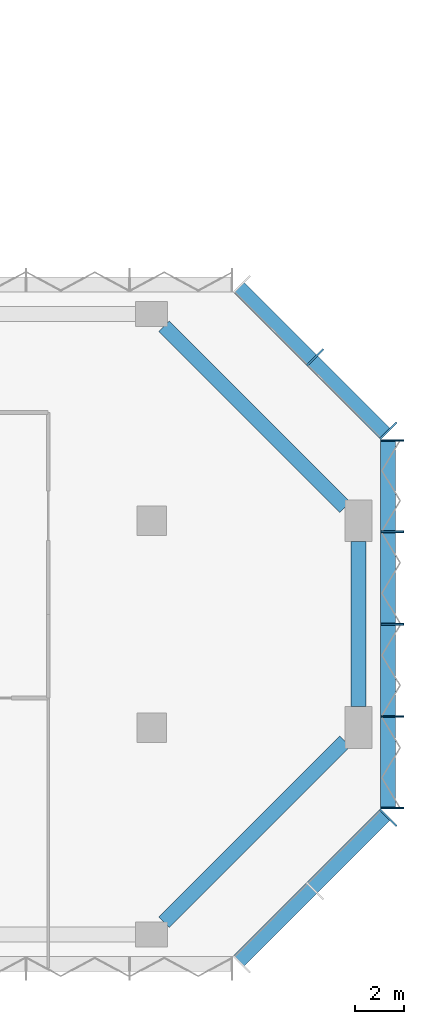
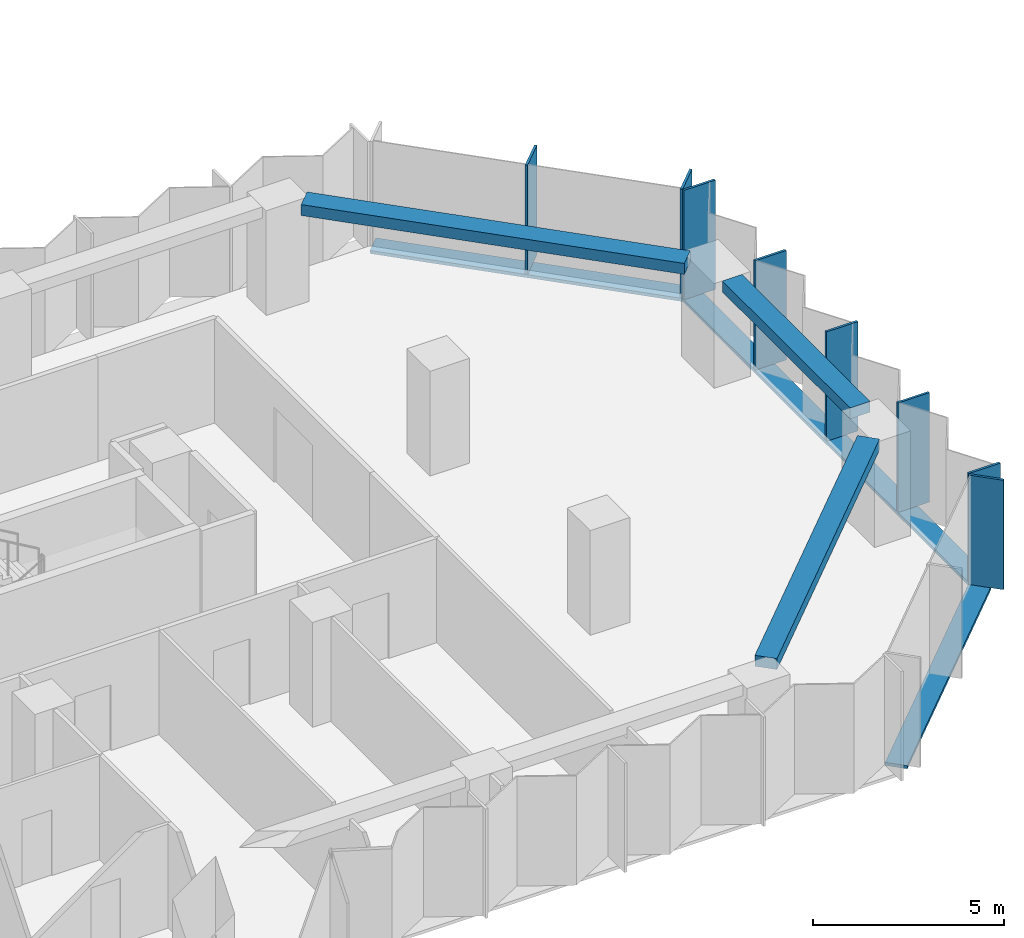
# One storey, part 4 of 13: 11 members, 3 beams, 3 elements without a shape of their own.
"""IFC4 building model written with IfcOpenShell, lengths in metres."""

from ifc_helpers import new_model, si_unit, direction, frame, origin, origin_2d, place, context, subcontext, project, spatial, rectangle, extrude, material, material_profile, profile_set, type_object, element, aggregate, save


model = new_model("IFC4")

# Units and contexts
model_context = context("Model", 3, precision=1e-05, world=origin(), true_north=direction((0.0, 1.0)))
body_context = subcontext(model_context, "Body", "Model", "MODEL_VIEW")
ifc_project = project(units=[si_unit("LENGTHUNIT", "METRE"), si_unit("AREAUNIT", "SQUARE_METRE"), si_unit("VOLUMEUNIT", "CUBIC_METRE"), si_unit("PLANEANGLEUNIT", "RADIAN"), si_unit("MASSUNIT", "GRAM", prefix="KILO")], contexts=[model_context])

# Site, building, storey
site_placement = place(None, origin())
site = spatial("IfcSite", under=ifc_project, at=site_placement, CompositionType="ELEMENT")
building_placement = place(site_placement, origin())
building = spatial("IfcBuilding", under=site, at=building_placement, Name="Brevane Broadcast Tower", CompositionType="ELEMENT")
storey_placement = place(building_placement, frame((0.0, 0.0, 109.699951171875)))
storey = spatial("IfcBuildingStorey", under=building, at=storey_placement, Name="L26", CompositionType="ELEMENT", Elevation=109.699951171875)

# Curtain wall, member
ifc_material_1 = material(Name="Aluminium 6063-T6 bronze anodised", Category="aluminium")
curtain_wall_type = type_object("IfcCurtainWallType", Name="CW-1 curtain wall", PredefinedType="NOTDEFINED", material=ifc_material_1)
curtain_wall_1_placement = place(storey_placement, origin())
curtain_wall_1 = element("IfcCurtainWall", 1, at=curtain_wall_1_placement, inside=storey, type_object=curtain_wall_type, Name="CW-1 typical tilted unit L26 south-east chamfer", PredefinedType="NOTDEFINED")
ifc_material_profile_1 = material_profile(ifc_material_1, rectangle(XDim=0.949951171875, YDim=0.070068359375, at=origin_2d()), Name="RECT 70x950")
ifc_profile_set_1 = profile_set([ifc_material_profile_1], Name="Aluminium 6063-T6 bronze anodised")
member_type_1 = type_object("IfcMemberType", Name="CW-1 mullion 70x950", PredefinedType="MULLION", material=ifc_profile_set_1)
member_1_placement = place(storey_placement, frame((68.4111328125, 4.7392578125, -0.14990234375), z_axis=(0.0, 0.0, 1.0), x_axis=(-0.707106781187, 0.707106781187, 0.0)))
member_1 = element("IfcMember", 2, at=member_1_placement, type_object=member_type_1, Name="CW-1 mullion", PredefinedType="MULLION", context=body_context, shape_type="SweptSolid", body=[
    extrude(rectangle(XDim=0.949951171875, YDim=0.070068359375, at=origin_2d()), origin(), (0.0, 0.0, 1.0), 3.5),
])

# Curtain wall, members
curtain_wall_2_placement = place(storey_placement, origin())
curtain_wall_2 = element("IfcCurtainWall", 3, at=curtain_wall_2_placement, inside=storey, type_object=curtain_wall_type, Name="CW-1 typical tilted unit L26 east end", PredefinedType="NOTDEFINED")
member_2_placement = place(storey_placement, frame((68.574951171875, 5.135009765625, -0.14990234375), z_axis=(0.0, 0.0, 1.0), x_axis=(-1.0, 0.0, 0.0)))
member_2 = element("IfcMember", 4, at=member_2_placement, type_object=member_type_1, Name="CW-1 mullion", PredefinedType="MULLION", context=body_context, shape_type="SweptSolid", body=[
    extrude(rectangle(XDim=0.949951171875, YDim=0.070068359375, at=origin_2d()), origin(), (0.0, 0.0, 1.0), 3.5),
])
member_3_placement = place(storey_placement, frame((68.574951171875, 8.85009765625, -0.14990234375), z_axis=(0.0, 0.0, 1.0), x_axis=(-1.0, 0.0, 0.0)))
member_3 = element("IfcMember", 5, at=member_3_placement, type_object=member_type_1, Name="CW-1 mullion", PredefinedType="MULLION", context=body_context, shape_type="SweptSolid", body=[
    extrude(rectangle(XDim=0.949951171875, YDim=0.070068359375, at=origin_2d()), origin(), (0.0, 0.0, 1.0), 3.5),
])
member_4_placement = place(storey_placement, frame((68.574951171875, 12.60009765625, -0.14990234375), z_axis=(0.0, 0.0, 1.0), x_axis=(-1.0, 0.0, 0.0)))
member_4 = element("IfcMember", 6, at=member_4_placement, type_object=member_type_1, Name="CW-1 mullion", PredefinedType="MULLION", context=body_context, shape_type="SweptSolid", body=[
    extrude(rectangle(XDim=0.949951171875, YDim=0.070068359375, at=origin_2d()), origin(), (0.0, 0.0, 1.0), 3.5),
])
member_5_placement = place(storey_placement, frame((68.574951171875, 16.35009765625, -0.14990234375), z_axis=(0.0, 0.0, 1.0), x_axis=(-1.0, 0.0, 0.0)))
member_5 = element("IfcMember", 7, at=member_5_placement, type_object=member_type_1, Name="CW-1 mullion", PredefinedType="MULLION", context=body_context, shape_type="SweptSolid", body=[
    extrude(rectangle(XDim=0.949951171875, YDim=0.070068359375, at=origin_2d()), origin(), (0.0, 0.0, 1.0), 3.5),
])
member_6_placement = place(storey_placement, frame((68.574951171875, 20.06494140625, -0.14990234375), z_axis=(0.0, 0.0, 1.0), x_axis=(-1.0, 0.0, 0.0)))
member_6 = element("IfcMember", 8, at=member_6_placement, type_object=member_type_1, Name="CW-1 mullion", PredefinedType="MULLION", context=body_context, shape_type="SweptSolid", body=[
    extrude(rectangle(XDim=0.949951171875, YDim=0.070068359375, at=origin_2d()), origin(), (0.0, 0.0, 1.0), 3.5),
])

curtain_wall_3_placement = place(storey_placement, origin())
curtain_wall_3 = element("IfcCurtainWall", 9, at=curtain_wall_3_placement, inside=storey, type_object=curtain_wall_type, Name="CW-1 typical tilted unit L26 north-east chamfer", PredefinedType="NOTDEFINED")
member_7_placement = place(storey_placement, frame((68.4111328125, 20.460693359375, -0.14990234375), z_axis=(0.0, 0.0, 1.0), x_axis=(-0.707106781187, -0.707106781187, 0.0)))
member_7 = element("IfcMember", 10, at=member_7_placement, type_object=member_type_1, Name="CW-1 mullion", PredefinedType="MULLION", context=body_context, shape_type="SweptSolid", body=[
    extrude(rectangle(XDim=0.949951171875, YDim=0.070068359375, at=origin_2d()), origin(), (0.0, 0.0, 1.0), 3.5),
])
member_8_placement = place(storey_placement, frame((65.435791015625, 23.435791015625, -0.14990234375), z_axis=(0.0, 0.0, 1.0), x_axis=(-0.707106781187, -0.707106781187, 0.0)))
member_8 = element("IfcMember", 11, at=member_8_placement, type_object=member_type_1, Name="CW-1 mullion", PredefinedType="MULLION", context=body_context, shape_type="SweptSolid", body=[
    extrude(rectangle(XDim=0.949951171875, YDim=0.070068359375, at=origin_2d()), origin(), (0.0, 0.0, 1.0), 3.5),
])

# Member
ifc_material_profile_2 = material_profile(ifc_material_1, rectangle(XDim=0.60009765625, YDim=0.10009765625, at=origin_2d()), Name="RECT 100x600")
ifc_profile_set_2 = profile_set([ifc_material_profile_2], Name="Aluminium 6063-T6 bronze anodised")
member_type_2 = type_object("IfcMemberType", Name="CW-1 transom 100x600", PredefinedType="USERDEFINED", material=ifc_profile_set_2)
member_9_placement = place(storey_placement, frame((62.31201171875, -1.112060546875, -0.199951171875), z_axis=(0.707106781187, 0.707106781187, 0.0), x_axis=(-0.707106781187, 0.707106781187, 0.0)))
member_9 = element("IfcMember", 12, at=member_9_placement, type_object=member_type_2, Name="CW-1 transom", ObjectType="TRANSOM", PredefinedType="USERDEFINED", context=body_context, shape_type="SweptSolid", body=[
    extrude(rectangle(XDim=0.60009765625, YDim=0.10009765625, at=origin_2d()), origin(), (0.0, 0.0, 1.0), 8.4853515625),
])

aggregate(curtain_wall_1, [member_1, member_9])

member_10_placement = place(storey_placement, frame((68.39990234375, 5.10009765625, -0.199951171875), z_axis=(0.0, 1.0, 0.0), x_axis=(-1.0, 0.0, 0.0)))
member_10 = element("IfcMember", 13, at=member_10_placement, type_object=member_type_2, Name="CW-1 transom", ObjectType="TRANSOM", PredefinedType="USERDEFINED", context=body_context, shape_type="SweptSolid", body=[
    extrude(rectangle(XDim=0.60009765625, YDim=0.10009765625, at=origin_2d()), origin(), (0.0, 0.0, 1.0), 15.0),
])

aggregate(curtain_wall_2, [member_2, member_3, member_4, member_5, member_6, member_10])

member_11_placement = place(storey_placement, frame((68.31201171875, 20.31201171875, -0.199951171875), z_axis=(-0.707106781187, 0.707106781187, 0.0), x_axis=(-0.707106781187, -0.707106781187, 0.0)))
member_11 = element("IfcMember", 14, at=member_11_placement, type_object=member_type_2, Name="CW-1 transom", ObjectType="TRANSOM", PredefinedType="USERDEFINED", context=body_context, shape_type="SweptSolid", body=[
    extrude(rectangle(XDim=0.60009765625, YDim=0.10009765625, at=origin_2d()), origin(), (0.0, 0.0, 1.0), 8.4853515625),
])

aggregate(curtain_wall_3, [member_7, member_8, member_11])

# Beams
ifc_material_2 = material(Name="Concrete C40/50", Category="concrete")
ifc_material_profile_3 = material_profile(ifc_material_2, rectangle(XDim=0.60009765625, YDim=0.35009765625, at=origin_2d()), Name="RC 600x350")
ifc_profile_set_3 = profile_set([ifc_material_profile_3], Name="Concrete C40/50")
beam_type = type_object("IfcBeamType", Name="RC SPANDREL BEAM 600x350 C40/50", PredefinedType="SPANDREL", material=ifc_profile_set_3)
beam_1_placement = place(storey_placement, frame((59.300048828125, 0.5, 3.175048828125), z_axis=(0.707095037275, 0.707118524903, 0.0), x_axis=(-0.707118524903, 0.707095037275, 0.0)))
element("IfcBeam", 15, at=beam_1_placement, inside=storey, type_object=beam_type, Name="EB1 L26-5", PredefinedType="SPANDREL", context=body_context, shape_type="SweptSolid", body=[
    extrude(rectangle(XDim=0.60009765625, YDim=0.35009765625, at=origin_2d()), origin(), (0.0, 0.0, 1.0), 10.39453125),
])
beam_2_placement = place(storey_placement, frame((67.199951171875, 9.25, 3.175048828125), z_axis=(0.0, 1.0, 0.0), x_axis=(-1.0, 0.0, 0.0)))
element("IfcBeam", 16, at=beam_2_placement, inside=storey, type_object=beam_type, Name="EB1 L26-6", PredefinedType="SPANDREL", context=body_context, shape_type="SweptSolid", body=[
    extrude(rectangle(XDim=0.60009765625, YDim=0.35009765625, at=origin_2d()), origin(), (0.0, 0.0, 1.0), 6.699951171875),
])
beam_3_placement = place(storey_placement, frame((66.64990234375, 17.35009765625, 3.175048828125), z_axis=(-0.707106781187, 0.707106781187, 0.0), x_axis=(-0.707106781187, -0.707106781187, 0.0)))
element("IfcBeam", 17, at=beam_3_placement, inside=storey, type_object=beam_type, Name="EB1 L26-7", PredefinedType="SPANDREL", context=body_context, shape_type="SweptSolid", body=[
    extrude(rectangle(XDim=0.60009765625, YDim=0.35009765625, at=origin_2d()), origin(), (0.0, 0.0, 1.0), 10.394287109375),
])

save(model, "model.ifc")
